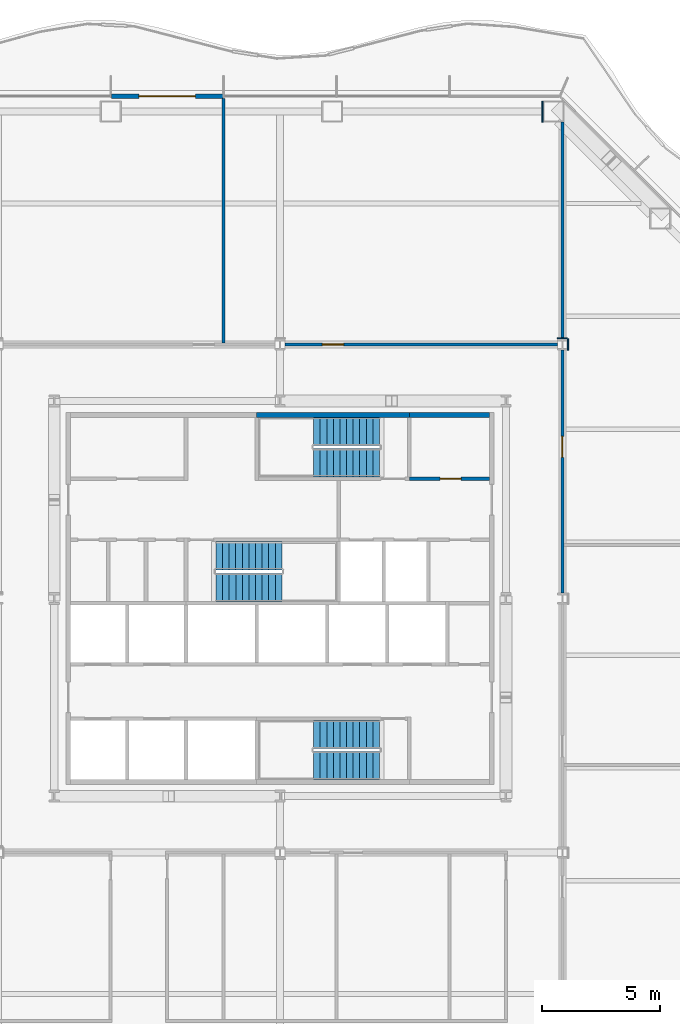
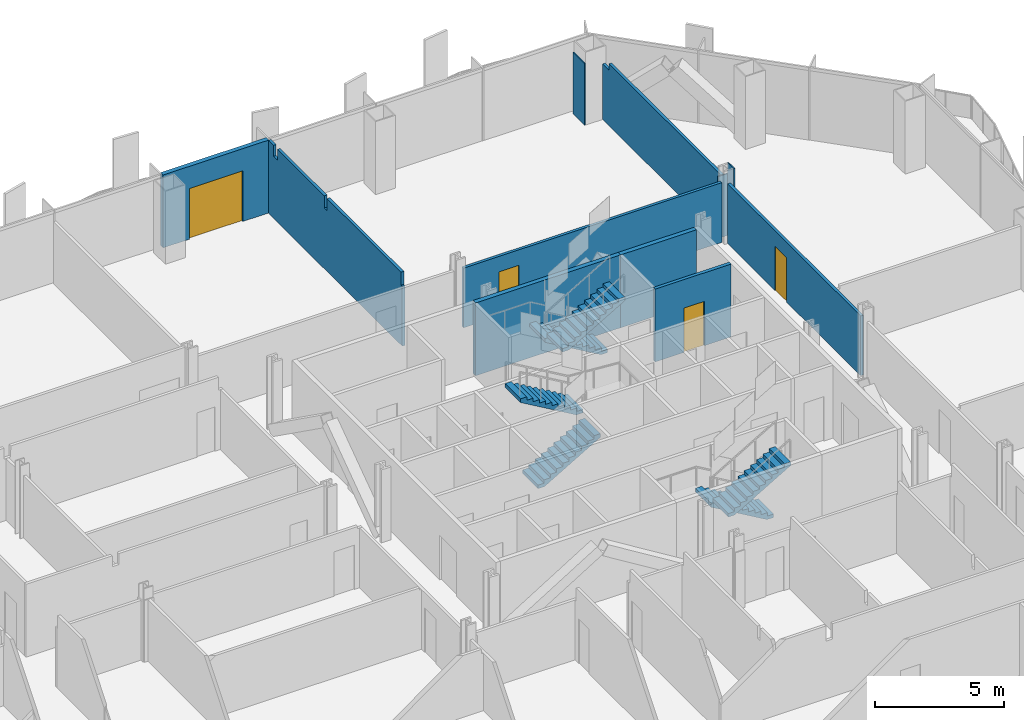
# One storey, part 11 of 18: 11 walls, 6 stair flights, 4 doors, 4 openings, 3 elements without a shape of their own.
"""IFC4 building model written with IfcOpenShell, lengths in metres."""

from ifc_helpers import new_model, si_unit, direction, frame, frame_2d, origin, place, context, subcontext, project, spatial, polyline, rectangle, outline, extrude, material, layer, layer_set, type_object, element, fill, aggregate, save


model = new_model("IFC4")

# Units and contexts
model_context = context("Model", 3, precision=1e-05, world=origin(), true_north=direction((0.0, 1.0)))
body_context = subcontext(model_context, "Body", "Model", "MODEL_VIEW")
ifc_project = project(units=[si_unit("LENGTHUNIT", "METRE"), si_unit("AREAUNIT", "SQUARE_METRE"), si_unit("VOLUMEUNIT", "CUBIC_METRE"), si_unit("PLANEANGLEUNIT", "RADIAN"), si_unit("MASSUNIT", "GRAM", prefix="KILO")], contexts=[model_context])

# Site, building, storey
site_placement = place(None, origin())
site = spatial("IfcSite", under=ifc_project, at=site_placement, CompositionType="ELEMENT")
building_placement = place(site_placement, origin())
building = spatial("IfcBuilding", under=site, at=building_placement, Name="Cairn Pilgrim Tower", CompositionType="ELEMENT")
storey_placement = place(building_placement, frame((0.0, 0.0, 76.199951171875)))
storey = spatial("IfcBuildingStorey", under=building, at=storey_placement, Name="L17", CompositionType="ELEMENT", Elevation=76.199951171875)

# Wall, opening, door
ifc_material_1 = material(Name="Bronze anodised aluminium insulated sandwich panel with mineral wool fill", Category="aluminium")
ifc_layer_1 = layer(ifc_material_1, 0.199951171875)
ifc_layer_set_1 = layer_set([ifc_layer_1], Name="BRONZE INFILL FRAME WALL 200")
wall_type_1 = type_object("IfcWallType", Name="BRONZE INFILL FRAME WALL 200", PredefinedType="NOTDEFINED", material=ifc_layer_set_1)
wall_1_placement = place(storey_placement, frame((4.77001953125, 23.75, 0.0), z_axis=(0.0, 0.0, 1.0), x_axis=(-1.0, 0.0, 0.0)))
wall_1 = element("IfcWall", 1, at=wall_1_placement, inside=storey, type_object=wall_type_1, Name="Bronze infill frame wall IW-N4", PredefinedType="NOTDEFINED", context=body_context, shape_type="SweptSolid", body=[
    extrude(rectangle(XDim=4.739990234375, YDim=0.199951171875, at=frame_2d((2.3701171875, 0.0))), origin(), (0.0, 0.0, 1.0), 3.449951171875),
])
opening_1_placement = place(wall_1_placement, frame((1.169921875, 0.0, 0.0)))
opening_1 = element("IfcOpeningElement", 2, at=opening_1_placement, cuts=wall_1, Name="Opening 1712B", PredefinedType="OPENING", context=body_context, shape_type="SweptSolid", body=[
    extrude(rectangle(XDim=2.39990234375, YDim=2.39990234375, at=frame_2d((1.199951171875, 1.199951171875))), frame((0.0, 0.10986328125, 0.0), z_axis=(0.0, -1.0, 0.0), x_axis=(1.0, 0.0, 0.0)), (0.0, 0.0, 1.0), 0.219970703125),
])
ifc_material_2 = material(Name="Bronze anodised aluminium frame with tinted low-E glass", Category="aluminium")
door_type_1 = type_object("IfcDoorType", Name="BALCONY SLIDING DOOR 2400x2400", OperationType="DOUBLE_DOOR_SLIDING", PredefinedType="DOOR", material=ifc_material_2)
door_1_placement = place(opening_1_placement, origin())
door_1 = element("IfcDoor", 3, at=door_1_placement, inside=storey, type_object=door_type_1, Name="Balcony sliding door 1712B", OperationType="SINGLE_SWING_LEFT", OverallHeight=2.39990234375, OverallWidth=2.39990234375, PredefinedType="DOOR", context=body_context, shape_type="SweptSolid", body=[
    extrude(rectangle(XDim=2.39990234375, YDim=2.39990234375, at=frame_2d((1.199951171875, 1.199951171875))), frame((0.0, 0.02490234375, 0.0), z_axis=(0.0, -1.0, 0.0), x_axis=(1.0, 0.0, 0.0)), (0.0, 0.0, 1.0), 0.050048828125),
])
fill(opening_1, door_1)

# Wall
ifc_material_3 = material(Name="Concrete C32/40", Category="concrete")
ifc_layer_2 = layer(ifc_material_3, 0.199951171875)
ifc_layer_set_2 = layer_set([ifc_layer_2], Name="CORE OUTER WALL 200 EI 120")
wall_type_2 = type_object("IfcWallType", Name="CORE OUTER WALL 200 EI 120", PredefinedType="SOLIDWALL", material=ifc_layer_set_2)
wall_2_placement = place(storey_placement, frame((12.699951171875, 10.199951171875, 0.0), z_axis=(0.0, 0.0, 1.0), x_axis=(1.0, 0.0, 0.0)))
element("IfcWall", 4, at=wall_2_placement, inside=storey, type_object=wall_type_2, Name="CW:L17:H11-3", PredefinedType="SOLIDWALL", context=body_context, shape_type="SweptSolid", body=[
    extrude(rectangle(XDim=3.400146484375, YDim=0.199951171875, at=frame_2d((1.7001953125, 0.0))), origin(), (0.0, 0.0, 1.0), 3.449951171875),
])

# Wall, opening, door
ifc_layer_3 = layer(ifc_material_3, 0.14990234375)
ifc_layer_set_3 = layer_set([ifc_layer_3], Name="CORE SHAFT WALL 150 EI 120")
wall_type_3 = type_object("IfcWallType", Name="CORE SHAFT WALL 150 EI 120", PredefinedType="SOLIDWALL", material=ifc_layer_set_3)
wall_3_placement = place(storey_placement, frame((12.699951171875, 7.5, 0.0), z_axis=(0.0, 0.0, 1.0), x_axis=(1.0, 0.0, 0.0)))
wall_3 = element("IfcWall", 5, at=wall_3_placement, inside=storey, type_object=wall_type_3, Name="CW:L17:H10-2", PredefinedType="SOLIDWALL", context=body_context, shape_type="SweptSolid", body=[
    extrude(rectangle(XDim=3.400146484375, YDim=0.14990234375, at=frame_2d((1.7001953125, 0.0))), origin(), (0.0, 0.0, 1.0), 3.449951171875),
])
opening_2_placement = place(wall_3_placement, frame((1.300048828125, 0.0, 0.0)))
opening_2 = element("IfcOpeningElement", 6, at=opening_2_placement, cuts=wall_3, Name="Opening RD-R4E", PredefinedType="OPENING", context=body_context, shape_type="SweptSolid", body=[
    extrude(rectangle(XDim=0.89990234375, YDim=2.10009765625, at=frame_2d((0.449951171875, 1.050048828125))), frame((0.0, 0.0849609375, 0.0), z_axis=(0.0, -1.0, 0.0), x_axis=(1.0, 0.0, 0.0)), (0.0, 0.0, 1.0), 0.169921875),
])
ifc_material_4 = material(Name="Painted steel", Category="steel")
door_type_2 = type_object("IfcDoorType", Name="SERVICE ROOM DOOR 900x2100", OperationType="SINGLE_SWING_LEFT", PredefinedType="DOOR", material=ifc_material_4)
door_2_placement = place(opening_2_placement, origin())
door_2 = element("IfcDoor", 7, at=door_2_placement, inside=storey, type_object=door_type_2, Name="RD-R4E", OperationType="SINGLE_SWING_LEFT", OverallHeight=2.10009765625, OverallWidth=0.89990234375, PredefinedType="DOOR", context=body_context, shape_type="SweptSolid", body=[
    extrude(rectangle(XDim=0.89990234375, YDim=2.10009765625, at=frame_2d((0.449951171875, 1.050048828125))), frame((0.0, 0.02490234375, 0.0), z_axis=(0.0, -1.0, 0.0), x_axis=(1.0, 0.0, 0.0)), (0.0, 0.0, 1.0), 0.050048828125),
])
fill(opening_2, door_2)

ifc_material_5 = material(Name="Gypsum partition")
ifc_layer_4 = layer(ifc_material_5, 0.125)
ifc_layer_set_4 = layer_set([ifc_layer_4], Name="PARTITION 125 DRYWALL EI 60")
wall_type_4 = type_object("IfcWallType", Name="PARTITION 125 DRYWALL EI 60", PredefinedType="PARTITIONING", material=ifc_layer_set_4)
wall_4_placement = place(storey_placement, frame((19.199951171875, 2.636962890625, 0.0), z_axis=(0.0, 0.0, 1.0), x_axis=(0.0, 1.0, 0.0)))
wall_4 = element("IfcWall", 8, at=wall_4_placement, inside=storey, type_object=wall_type_4, Name="PARTITION W046", PredefinedType="PARTITIONING", context=body_context, shape_type="SweptSolid", body=[
    extrude(rectangle(XDim=10.325927734375, YDim=0.125, at=frame_2d((5.1630859375, 0.0))), origin(), (0.0, 0.0, 1.0), 2.830078125),
])
opening_3_placement = place(wall_4_placement, frame((5.762939453125, 0.0, 0.0)))
opening_3 = element("IfcOpeningElement", 9, at=opening_3_placement, cuts=wall_4, Name="Opening 1716", PredefinedType="OPENING", context=body_context, shape_type="SweptSolid", body=[
    extrude(rectangle(XDim=0.89990234375, YDim=2.10009765625, at=frame_2d((0.449951171875, 1.050048828125))), frame((0.0, 0.072509765625, 0.0), z_axis=(0.0, -1.0, 0.0), x_axis=(1.0, 0.0, 0.0)), (0.0, 0.0, 1.0), 0.14501953125),
])
ifc_material_6 = material(Name="Steel-faced fire door leaf", Category="steel")
door_type_3 = type_object("IfcDoorType", Name="FIRE DOOR 900x2100 FD30S", OperationType="NOTDEFINED", PredefinedType="DOOR", material=ifc_material_6)
door_3_placement = place(opening_3_placement, frame((0.89990234375, 0.0, 0.0), z_axis=(0.0, 0.0, 1.0), x_axis=(-1.0, 0.0, 0.0)))
door_3 = element("IfcDoor", 10, at=door_3_placement, inside=storey, type_object=door_type_3, Name="DOOR 1716", OperationType="SINGLE_SWING_LEFT", OverallHeight=2.10009765625, OverallWidth=0.89990234375, PredefinedType="DOOR", context=body_context, shape_type="SweptSolid", body=[
    extrude(rectangle(XDim=0.89990234375, YDim=2.10009765625, at=frame_2d((0.449951171875, 1.050048828125))), frame((0.0, 0.02490234375, 0.0), z_axis=(0.0, -1.0, 0.0), x_axis=(1.0, 0.0, 0.0)), (0.0, 0.0, 1.0), 0.050048828125),
])
fill(opening_3, door_3)

wall_5_placement = place(storey_placement, frame((7.412109375, 13.199951171875, 0.0), z_axis=(0.0, 0.0, 1.0), x_axis=(1.0, 0.0, 0.0)))
wall_5 = element("IfcWall", 11, at=wall_5_placement, inside=storey, type_object=wall_type_4, Name="PARTITION W056", PredefinedType="PARTITIONING", context=body_context, shape_type="SweptSolid", body=[
    extrude(rectangle(XDim=11.575927734375, YDim=0.125, at=frame_2d((5.7880859375, 0.0))), origin(), (0.0, 0.0, 1.0), 2.830078125),
])
opening_4_placement = place(wall_5_placement, frame((1.587890625, 0.0, 0.0)))
opening_4 = element("IfcOpeningElement", 12, at=opening_4_placement, cuts=wall_5, Name="Opening 1713", PredefinedType="OPENING", context=body_context, shape_type="SweptSolid", body=[
    extrude(rectangle(XDim=0.89990234375, YDim=2.10009765625, at=frame_2d((0.449951171875, 1.050048828125))), frame((0.0, 0.072509765625, 0.0), z_axis=(0.0, -1.0, 0.0), x_axis=(1.0, 0.0, 0.0)), (0.0, 0.0, 1.0), 0.14501953125),
])
door_4_placement = place(opening_4_placement, origin())
door_4 = element("IfcDoor", 13, at=door_4_placement, inside=storey, type_object=door_type_3, Name="DOOR 1713", OperationType="SINGLE_SWING_RIGHT", OverallHeight=2.10009765625, OverallWidth=0.89990234375, PredefinedType="DOOR", context=body_context, shape_type="SweptSolid", body=[
    extrude(rectangle(XDim=0.89990234375, YDim=2.10009765625, at=frame_2d((0.449951171875, 1.050048828125))), frame((0.0, 0.02490234375, 0.0), z_axis=(0.0, -1.0, 0.0), x_axis=(1.0, 0.0, 0.0)), (0.0, 0.0, 1.0), 0.050048828125),
])
fill(opening_4, door_4)

# Walls
wall_6_placement = place(storey_placement, frame((4.800048828125, 13.262451171875, 0.0), z_axis=(0.0, 0.0, 1.0), x_axis=(0.0, 1.0, 0.0)))
element("IfcWall", 14, at=wall_6_placement, inside=storey, type_object=wall_type_4, Name="PARTITION W059", PredefinedType="PARTITIONING", context=body_context, shape_type="SweptSolid", body=[
    extrude(outline(polyline([(0.0, 0.0), (10.387451171875, 0.0), (10.387451171875, 3.449951171875), (9.987548828125, 3.449951171875), (9.985595703125, 2.929931640625), (9.6875, 2.929931640625), (9.685546875, 3.449951171875), (6.04248046875, 3.449951171875), (6.04052734375, 2.880126953125), (5.83251953125, 2.880126953125), (5.83056640625, 3.449951171875), (0.08740234375, 3.449951171875), (0.08544921875, 2.830078125), (0.0, 2.830078125), (0.0, 0.0)])), frame((0.0, 0.0625, 0.0), z_axis=(0.0, -1.0, 0.0), x_axis=(1.0, 0.0, 0.0)), (0.0, 0.0, 1.0), 0.125),
])
wall_7_placement = place(storey_placement, frame((19.199951171875, 13.43701171875, 0.0), z_axis=(0.0, 0.0, 1.0), x_axis=(0.0, 1.0, 0.0)))
element("IfcWall", 15, at=wall_7_placement, inside=storey, type_object=wall_type_4, Name="PARTITION W061", PredefinedType="PARTITIONING", context=body_context, shape_type="SweptSolid", body=[
    extrude(outline(polyline([(0.0, 0.0), (9.212890625, 0.0), (9.212890625, 2.630126953125), (8.732666015625, 2.630126953125), (8.730712890625, 2.929931640625), (0.0, 2.929931640625), (0.0, 0.0)])), frame((0.0, 0.0625, 0.0), z_axis=(0.0, -1.0, 0.0), x_axis=(1.0, 0.0, 0.0)), (0.0, 0.0, 1.0), 0.125),
])
ifc_layer_5 = layer(ifc_material_5, 0.050048828125)
ifc_layer_set_5 = layer_set([ifc_layer_5], Name="PARTITION 50 DRYWALL EI 60")
wall_type_5 = type_object("IfcWallType", Name="PARTITION 50 DRYWALL EI 60", PredefinedType="PARTITIONING", material=ifc_layer_set_5)
wall_8_placement = place(storey_placement, frame((19.43701171875, 12.962890625, 0.0), z_axis=(0.0, 0.0, 1.0), x_axis=(0.0, 1.0, 0.0)))
element("IfcWall", 16, at=wall_8_placement, inside=storey, type_object=wall_type_5, Name="COLUMN CASING WC05", PredefinedType="PARTITIONING", context=body_context, shape_type="SweptSolid", body=[
    extrude(rectangle(XDim=0.47412109375, YDim=0.050048828125, at=frame_2d((0.237060546875, 0.0))), origin(), (0.0, 0.0, 1.0), 3.449951171875),
])
wall_9_placement = place(storey_placement, frame((18.988037109375, 13.4619140625, 0.0), z_axis=(0.0, 0.0, 1.0), x_axis=(1.0, 0.0, 0.0)))
element("IfcWall", 17, at=wall_9_placement, inside=storey, type_object=wall_type_5, Name="COLUMN CASING WC22", PredefinedType="PARTITIONING", context=body_context, shape_type="SweptSolid", body=[
    extrude(rectangle(XDim=0.424072265625, YDim=0.050048828125, at=frame_2d((0.2119140625, 0.0))), origin(), (0.0, 0.0, 1.0), 2.929931640625),
])
wall_10_placement = place(storey_placement, frame((18.352294921875, 22.64990234375, 0.0), z_axis=(0.0, 0.0, 1.0), x_axis=(0.0, 1.0, 0.0)))
element("IfcWall", 18, at=wall_10_placement, inside=storey, type_object=wall_type_5, Name="COLUMN CASING WC23", PredefinedType="PARTITIONING", context=body_context, shape_type="SweptSolid", body=[
    extrude(rectangle(XDim=0.900146484375, YDim=0.050048828125, at=frame_2d((0.4501953125, 0.0))), origin(), (0.0, 0.0, 1.0), 2.929931640625),
])
ifc_material_7 = material(Name="Concrete C35/45", Category="concrete")
ifc_layer_6 = layer(ifc_material_7, 0.199951171875)
ifc_layer_set_6 = layer_set([ifc_layer_6], Name="STAIR SHAFT WALL 200 EI 120")
wall_type_6 = type_object("IfcWallType", Name="STAIR SHAFT WALL 200 EI 120", PredefinedType="SOLIDWALL", material=ifc_layer_set_6)
wall_11_placement = place(storey_placement, frame((6.199951171875, 10.199951171875, 0.0), z_axis=(0.0, 0.0, 1.0), x_axis=(1.0, 0.0, 0.0)))
element("IfcWall", 19, at=wall_11_placement, inside=storey, type_object=wall_type_6, Name="CW:L17:H11-2", PredefinedType="SOLIDWALL", context=body_context, shape_type="SweptSolid", body=[
    extrude(rectangle(XDim=6.5, YDim=0.199951171875, at=frame_2d((3.25, 0.0))), origin(), (0.0, 0.0, 1.0), 3.449951171875),
])

# Stair, stair flights
stair_type = type_object("IfcStairType", Name="EXIT STAIR 1200", PredefinedType="HALF_TURN_STAIR", material=ifc_material_3)
stair_1_placement = place(storey_placement, origin())
stair_1 = element("IfcStair", 20, at=stair_1_placement, inside=storey, type_object=stair_type, Name="L17 Exit Stair A", PredefinedType="HALF_TURN_STAIR")
stair_flight_type = type_object("IfcStairFlightType", Name="STAIR FLIGHT 1200", PredefinedType="STRAIGHT", material=ifc_material_3)
stair_flight_1_placement = place(storey_placement, frame((11.425048828125, -3.375, 0.0), z_axis=(0.0, 0.0, 1.0), x_axis=(-1.0, 0.0, 0.0)))
stair_flight_1 = element("IfcStairFlight", 21, at=stair_flight_1_placement, type_object=stair_flight_type, Name="ST-A flight 1", NumberOfRisers=11, NumberOfTreads=10, PredefinedType="STRAIGHT", RiserHeight=0.163636364, TreadLength=0.28, context=body_context, shape_type="SweptSolid", body=[
    extrude(outline(polyline([(0.0, 0.0), (0.0, 0.16357421875), (0.280029296875, 0.16357421875), (0.280029296875, 0.327392578125), (0.56005859375, 0.327392578125), (0.56005859375, 0.490966796875), (0.840087890625, 0.490966796875), (0.840087890625, 0.654541015625), (1.1201171875, 0.654541015625), (1.1201171875, 0.818115234375), (1.39990234375, 0.818115234375), (1.39990234375, 0.98193359375), (1.679931640625, 0.98193359375), (1.679931640625, 1.1455078125), (1.9599609375, 1.1455078125), (1.9599609375, 1.30908203125), (2.239990234375, 1.30908203125), (2.239990234375, 1.47265625), (2.52001953125, 1.47265625), (2.52001953125, 1.636474609375), (2.800048828125, 1.636474609375), (2.800048828125, 1.800048828125), (2.800048828125, 1.462646484375), (0.297119140625, 0.0), (0.0, 0.0)])), frame((0.0, 0.60009765625, 0.0), z_axis=(0.0, -1.0, 0.0), x_axis=(1.0, 0.0, 0.0)), (0.0, 0.0, 1.0), 1.199951171875),
])
stair_flight_2_placement = place(storey_placement, frame((8.625, -4.699951171875, 1.800048828125), z_axis=(0.0, 0.0, 1.0), x_axis=(1.0, 0.0, 0.0)))
stair_flight_2 = element("IfcStairFlight", 22, at=stair_flight_2_placement, type_object=stair_flight_type, Name="ST-A flight 2", NumberOfRisers=11, NumberOfTreads=10, PredefinedType="STRAIGHT", RiserHeight=0.163636364, TreadLength=0.28, context=body_context, shape_type="SweptSolid", body=[
    extrude(outline(polyline([(0.0, 0.0), (0.0, 0.16357421875), (0.280029296875, 0.16357421875), (0.280029296875, 0.327392578125), (0.56005859375, 0.327392578125), (0.56005859375, 0.490966796875), (0.840087890625, 0.490966796875), (0.840087890625, 0.654541015625), (1.1201171875, 0.654541015625), (1.1201171875, 0.818115234375), (1.39990234375, 0.818115234375), (1.39990234375, 0.98193359375), (1.679931640625, 0.98193359375), (1.679931640625, 1.1455078125), (1.9599609375, 1.1455078125), (1.9599609375, 1.30908203125), (2.239990234375, 1.30908203125), (2.239990234375, 1.47265625), (2.52001953125, 1.47265625), (2.52001953125, 1.636474609375), (2.800048828125, 1.636474609375), (2.800048828125, 1.800048828125), (2.800048828125, 1.462646484375), (0.297119140625, 0.0), (0.0, 0.0)])), frame((0.0, 0.60009765625, 0.0), z_axis=(0.0, -1.0, 0.0), x_axis=(1.0, 0.0, 0.0)), (0.0, 0.0, 1.0), 1.199951171875),
])
aggregate(stair_1, [stair_flight_1, stair_flight_2])

stair_2_placement = place(storey_placement, origin())
stair_2 = element("IfcStair", 23, at=stair_2_placement, inside=storey, type_object=stair_type, Name="L17 Exit Stair B", PredefinedType="HALF_TURN_STAIR")
stair_flight_3_placement = place(storey_placement, frame((4.47509765625, 2.875, 0.0), z_axis=(0.0, 0.0, 1.0), x_axis=(1.0, 0.0, 0.0)))
stair_flight_3 = element("IfcStairFlight", 24, at=stair_flight_3_placement, type_object=stair_flight_type, Name="ST-B flight 1", NumberOfRisers=11, NumberOfTreads=10, PredefinedType="STRAIGHT", RiserHeight=0.163636364, TreadLength=0.28, context=body_context, shape_type="SweptSolid", body=[
    extrude(outline(polyline([(0.0, 0.0), (0.0, 0.16357421875), (0.280029296875, 0.16357421875), (0.280029296875, 0.327392578125), (0.56005859375, 0.327392578125), (0.56005859375, 0.490966796875), (0.840087890625, 0.490966796875), (0.840087890625, 0.654541015625), (1.1201171875, 0.654541015625), (1.1201171875, 0.818115234375), (1.39990234375, 0.818115234375), (1.39990234375, 0.98193359375), (1.679931640625, 0.98193359375), (1.679931640625, 1.1455078125), (1.9599609375, 1.1455078125), (1.9599609375, 1.30908203125), (2.239990234375, 1.30908203125), (2.239990234375, 1.47265625), (2.52001953125, 1.47265625), (2.52001953125, 1.636474609375), (2.800048828125, 1.636474609375), (2.800048828125, 1.800048828125), (2.800048828125, 1.462646484375), (0.297119140625, 0.0), (0.0, 0.0)])), frame((0.0, 0.60009765625, 0.0), z_axis=(0.0, -1.0, 0.0), x_axis=(1.0, 0.0, 0.0)), (0.0, 0.0, 1.0), 1.199951171875),
])
stair_flight_4_placement = place(storey_placement, frame((7.27490234375, 4.22509765625, 1.800048828125), z_axis=(0.0, 0.0, 1.0), x_axis=(-1.0, 0.0, 0.0)))
stair_flight_4 = element("IfcStairFlight", 25, at=stair_flight_4_placement, type_object=stair_flight_type, Name="ST-B flight 2", NumberOfRisers=11, NumberOfTreads=10, PredefinedType="STRAIGHT", RiserHeight=0.163636364, TreadLength=0.28, context=body_context, shape_type="SweptSolid", body=[
    extrude(outline(polyline([(0.0, 0.0), (0.0, 0.16357421875), (0.280029296875, 0.16357421875), (0.280029296875, 0.327392578125), (0.56005859375, 0.327392578125), (0.56005859375, 0.490966796875), (0.840087890625, 0.490966796875), (0.840087890625, 0.654541015625), (1.1201171875, 0.654541015625), (1.1201171875, 0.818115234375), (1.39990234375, 0.818115234375), (1.39990234375, 0.98193359375), (1.679931640625, 0.98193359375), (1.679931640625, 1.1455078125), (1.9599609375, 1.1455078125), (1.9599609375, 1.30908203125), (2.239990234375, 1.30908203125), (2.239990234375, 1.47265625), (2.52001953125, 1.47265625), (2.52001953125, 1.636474609375), (2.800048828125, 1.636474609375), (2.800048828125, 1.800048828125), (2.800048828125, 1.462646484375), (0.297119140625, 0.0), (0.0, 0.0)])), frame((0.0, 0.60009765625, 0.0), z_axis=(0.0, -1.0, 0.0), x_axis=(1.0, 0.0, 0.0)), (0.0, 0.0, 1.0), 1.199951171875),
])
aggregate(stair_2, [stair_flight_3, stair_flight_4])

stair_3_placement = place(storey_placement, origin())
stair_3 = element("IfcStair", 26, at=stair_3_placement, inside=storey, type_object=stair_type, Name="L17 Exit Stair C", PredefinedType="HALF_TURN_STAIR")
stair_flight_5_placement = place(storey_placement, frame((11.425048828125, 9.5, 0.0), z_axis=(0.0, 0.0, 1.0), x_axis=(-1.0, 0.0, 0.0)))
stair_flight_5 = element("IfcStairFlight", 27, at=stair_flight_5_placement, type_object=stair_flight_type, Name="ST-C flight 1", NumberOfRisers=11, NumberOfTreads=10, PredefinedType="STRAIGHT", RiserHeight=0.163636364, TreadLength=0.28, context=body_context, shape_type="SweptSolid", body=[
    extrude(outline(polyline([(0.0, 0.0), (0.0, 0.16357421875), (0.280029296875, 0.16357421875), (0.280029296875, 0.327392578125), (0.56005859375, 0.327392578125), (0.56005859375, 0.490966796875), (0.840087890625, 0.490966796875), (0.840087890625, 0.654541015625), (1.1201171875, 0.654541015625), (1.1201171875, 0.818115234375), (1.39990234375, 0.818115234375), (1.39990234375, 0.98193359375), (1.679931640625, 0.98193359375), (1.679931640625, 1.1455078125), (1.9599609375, 1.1455078125), (1.9599609375, 1.30908203125), (2.239990234375, 1.30908203125), (2.239990234375, 1.47265625), (2.52001953125, 1.47265625), (2.52001953125, 1.636474609375), (2.800048828125, 1.636474609375), (2.800048828125, 1.800048828125), (2.800048828125, 1.462646484375), (0.297119140625, 0.0), (0.0, 0.0)])), frame((0.0, 0.60009765625, 0.0), z_axis=(0.0, -1.0, 0.0), x_axis=(1.0, 0.0, 0.0)), (0.0, 0.0, 1.0), 1.199951171875),
])
stair_flight_6_placement = place(storey_placement, frame((8.625, 8.175048828125, 1.800048828125), z_axis=(0.0, 0.0, 1.0), x_axis=(1.0, 0.0, 0.0)))
stair_flight_6 = element("IfcStairFlight", 28, at=stair_flight_6_placement, type_object=stair_flight_type, Name="ST-C flight 2", NumberOfRisers=11, NumberOfTreads=10, PredefinedType="STRAIGHT", RiserHeight=0.163636364, TreadLength=0.28, context=body_context, shape_type="SweptSolid", body=[
    extrude(outline(polyline([(0.0, 0.0), (0.0, 0.16357421875), (0.280029296875, 0.16357421875), (0.280029296875, 0.327392578125), (0.56005859375, 0.327392578125), (0.56005859375, 0.490966796875), (0.840087890625, 0.490966796875), (0.840087890625, 0.654541015625), (1.1201171875, 0.654541015625), (1.1201171875, 0.818115234375), (1.39990234375, 0.818115234375), (1.39990234375, 0.98193359375), (1.679931640625, 0.98193359375), (1.679931640625, 1.1455078125), (1.9599609375, 1.1455078125), (1.9599609375, 1.30908203125), (2.239990234375, 1.30908203125), (2.239990234375, 1.47265625), (2.52001953125, 1.47265625), (2.52001953125, 1.636474609375), (2.800048828125, 1.636474609375), (2.800048828125, 1.800048828125), (2.800048828125, 1.462646484375), (0.297119140625, 0.0), (0.0, 0.0)])), frame((0.0, 0.60009765625, 0.0), z_axis=(0.0, -1.0, 0.0), x_axis=(1.0, 0.0, 0.0)), (0.0, 0.0, 1.0), 1.199951171875),
])
aggregate(stair_3, [stair_flight_5, stair_flight_6])

save(model, "model.ifc")
